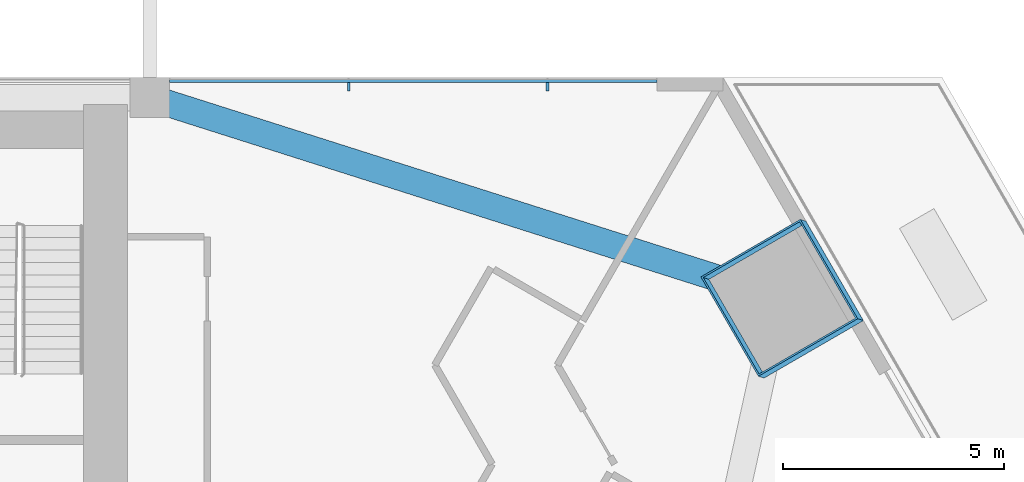
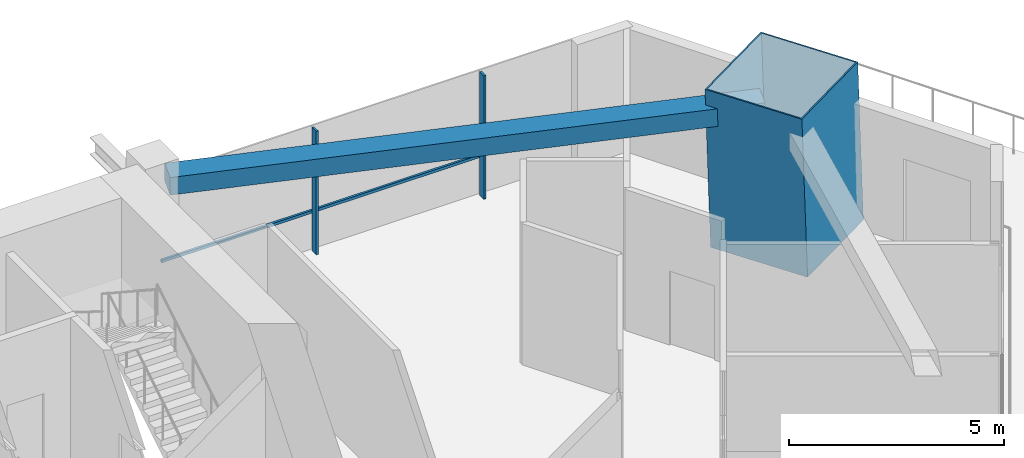
# One storey, part 7 of 15: 4 members, 1 beam, 1 element without a shape of its own.
"""IFC4 building model written with IfcOpenShell, lengths in metres."""

from ifc_helpers import new_model, si_unit, direction, frame, origin, origin_2d, place, context, subcontext, project, spatial, rectangle, hollow_rectangle, extrude, material, layer, layer_set, material_profile, profile_set, type_object, element, aggregate, save


model = new_model("IFC4")

# Units and contexts
model_context = context("Model", 3, precision=1e-05, world=origin(), true_north=direction((0.0, 1.0)))
body_context = subcontext(model_context, "Body", "Model", "MODEL_VIEW")
ifc_project = project(units=[si_unit("LENGTHUNIT", "METRE"), si_unit("AREAUNIT", "SQUARE_METRE"), si_unit("VOLUMEUNIT", "CUBIC_METRE"), si_unit("PLANEANGLEUNIT", "RADIAN"), si_unit("MASSUNIT", "GRAM", prefix="KILO")], contexts=[model_context])

# Site, building, storey
site_placement = place(None, origin())
site = spatial("IfcSite", under=ifc_project, at=site_placement, CompositionType="ELEMENT")
building_placement = place(site_placement, origin())
building = spatial("IfcBuilding", under=site, at=building_placement, Name="Altiplano Prism Tower", CompositionType="ELEMENT")
storey_placement = place(building_placement, frame((0.0, 0.0, 22.5)))
storey = spatial("IfcBuildingStorey", under=building, at=storey_placement, Name="L04", CompositionType="ELEMENT", Elevation=22.5)

# Curtain wall, members
ifc_material_1 = material(Name="Aluminium and glass", Category="aluminium")
ifc_layer = layer(ifc_material_1, 0.303955078125)
ifc_layer_set = layer_set([ifc_layer], Name="Aluminium and glass")
curtain_wall_type = type_object("IfcCurtainWallType", Name="CW2 lounge-band unitised glazing", PredefinedType="NOTDEFINED", material=ifc_layer_set)
curtain_wall_placement = place(storey_placement, origin())
curtain_wall = element("IfcCurtainWall", 1, at=curtain_wall_placement, inside=storey, type_object=curtain_wall_type, Name="CW2 glazing north face L04", PredefinedType="NOTDEFINED")
ifc_material_2 = material(Name="Aluminium", Category="aluminium")
ifc_material_profile_1 = material_profile(ifc_material_2, rectangle(XDim=0.199951171875, YDim=0.06005859375, at=origin_2d()), Name="CW2 mullion 60 x 200")
ifc_profile_set_1 = profile_set([ifc_material_profile_1], Name="Aluminium")
member_type_1 = type_object("IfcMemberType", Name="CW2 mullion 60 x 200", PredefinedType="MULLION", material=ifc_profile_set_1)
member_1_placement = place(storey_placement, frame((107.5, 104.7958984375, 0.0), z_axis=(0.0, 0.0, 1.0), x_axis=(0.0, -1.0, 0.0)))
member_1 = element("IfcMember", 2, at=member_1_placement, type_object=member_type_1, Name="CW2 mullion", PredefinedType="MULLION", context=body_context, shape_type="SweptSolid", body=[
    extrude(rectangle(XDim=0.199951171875, YDim=0.06005859375, at=origin_2d()), origin(), (0.0, 0.0, 1.0), 3.5),
])
member_2_placement = place(storey_placement, frame((103.0, 104.7958984375, 0.0), z_axis=(0.0, 0.0, 1.0), x_axis=(0.0, -1.0, 0.0)))
member_2 = element("IfcMember", 3, at=member_2_placement, type_object=member_type_1, Name="CW2 mullion", PredefinedType="MULLION", context=body_context, shape_type="SweptSolid", body=[
    extrude(rectangle(XDim=0.199951171875, YDim=0.06005859375, at=origin_2d()), origin(), (0.0, 0.0, 1.0), 3.5),
])
ifc_material_profile_2 = material_profile(ifc_material_2, rectangle(XDim=0.06005859375, YDim=0.080078125, at=origin_2d()), Name="CW2 transom 80 x 60")
ifc_profile_set_2 = profile_set([ifc_material_profile_2], Name="Aluminium")
member_type_2 = type_object("IfcMemberType", Name="CW2 transom 80 x 60", PredefinedType="USERDEFINED", material=ifc_profile_set_2)
member_3_placement = place(storey_placement, frame((109.976806640625, 104.926025390625, 1.10009765625), z_axis=(-1.0, 0.0, 0.0), x_axis=(0.0, -1.0, 0.0)))
member_3 = element("IfcMember", 4, at=member_3_placement, type_object=member_type_2, Name="CW2 transom", ObjectType="TRANSOM", PredefinedType="USERDEFINED", context=body_context, shape_type="SweptSolid", body=[
    extrude(rectangle(XDim=0.06005859375, YDim=0.080078125, at=origin_2d()), origin(), (0.0, 0.0, 1.0), 11.02685546875),
])
aggregate(curtain_wall, [member_1, member_2, member_3])

# Beam
ifc_material_3 = material(Name="Concrete C60/75", Category="concrete")
ifc_material_profile_3 = material_profile(ifc_material_3, rectangle(XDim=0.60009765625, YDim=0.5, at=origin_2d()), Name="Edge beam 600x500")
ifc_profile_set_3 = profile_set([ifc_material_profile_3], Name="Concrete C60/75")
beam_type = type_object("IfcBeamType", Name="Edge beam 600x500", PredefinedType="SPANDREL", material=ifc_profile_set_3)
beam_placement = place(storey_placement, frame((112.318359375, 100.15625, 3.75), z_axis=(-0.952983553768, 0.30302202271, 0.0), x_axis=(-0.30302202271, -0.952983553768, 0.0)))
element("IfcBeam", 5, at=beam_placement, inside=storey, type_object=beam_type, Name="Edge beam M2-P01 L05", PredefinedType="SPANDREL", context=body_context, shape_type="SweptSolid", body=[
    extrude(rectangle(XDim=0.60009765625, YDim=0.5, at=origin_2d()), origin(), (0.0, 0.0, 1.0), 14.14794921875),
])

# Member
ifc_material_4 = material(Name="Steel S460", Category="steel")
ifc_material_profile_4 = material_profile(ifc_material_4, hollow_rectangle(XDim=2.60009765625, YDim=2.60009765625, WallThickness=0.0400390625, at=origin_2d()), Name="Mega column tube 2600")
ifc_profile_set_4 = profile_set([ifc_material_profile_4], Name="Steel S460")
member_type_3 = type_object("IfcMemberType", Name="Mega column tube 2600", PredefinedType="POST", material=ifc_profile_set_4)
member_4_placement = place(storey_placement, frame((112.875, 99.978271484375, 0.0), z_axis=(-0.028361945142, 0.009218987905, 0.999555206244), x_axis=(0.500391934376, -0.865514823496, 0.022181125308)))
element("IfcMember", 6, at=member_4_placement, inside=storey, type_object=member_type_3, Name="Mega column tube M2 L04", PredefinedType="POST", context=body_context, shape_type="SweptSolid", body=[
    extrude(hollow_rectangle(XDim=2.60009765625, YDim=2.60009765625, WallThickness=0.0400390625, at=origin_2d()), origin(), (0.0, 0.0, 1.0), 4.501953125),
])

save(model, "model.ifc")
